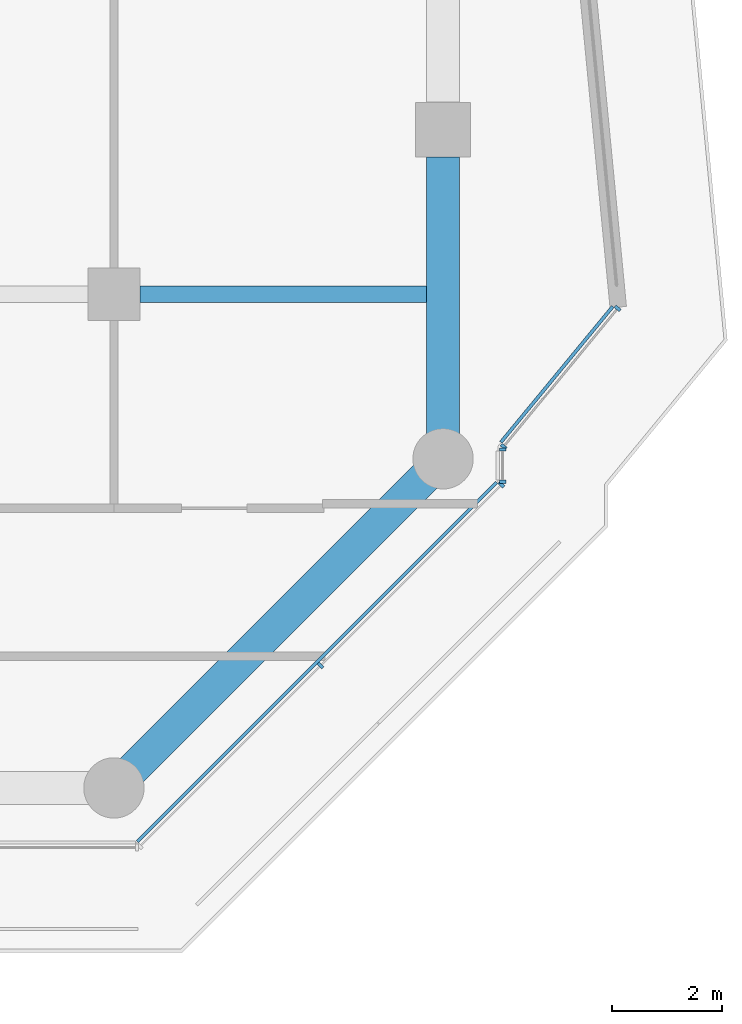
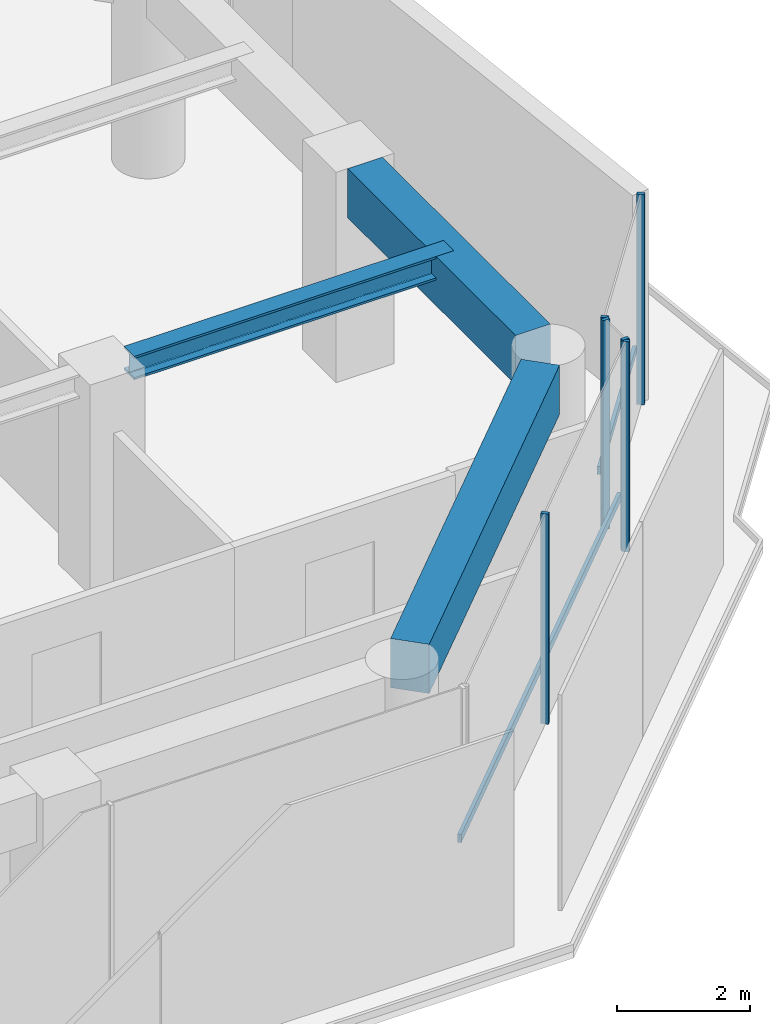
# One storey, part 7 of 28: 8 members, 3 beams, 3 elements without a shape of their own.
"""IFC4 building model written with IfcOpenShell, lengths in metres."""

from ifc_helpers import new_model, si_unit, direction, frame, origin, origin_2d, place, context, subcontext, project, spatial, rectangle, i_section, extrude, material, layer, layer_set, material_profile, profile_set, type_object, element, aggregate, save


model = new_model("IFC4")

# Units and contexts
model_context = context("Model", 3, precision=1e-05, world=origin(), true_north=direction((0.0, 1.0)))
body_context = subcontext(model_context, "Body", "Model", "MODEL_VIEW")
ifc_project = project(units=[si_unit("LENGTHUNIT", "METRE"), si_unit("AREAUNIT", "SQUARE_METRE"), si_unit("VOLUMEUNIT", "CUBIC_METRE"), si_unit("PLANEANGLEUNIT", "RADIAN"), si_unit("MASSUNIT", "GRAM", prefix="KILO")], contexts=[model_context])

# Site, building, storey
site_placement = place(None, origin())
site = spatial("IfcSite", under=ifc_project, at=site_placement, CompositionType="ELEMENT")
building_placement = place(site_placement, origin())
building = spatial("IfcBuilding", under=site, at=building_placement, Name="Welwitschia Terrace Campus", CompositionType="ELEMENT")
storey_placement = place(building_placement, frame((0.0, 0.0, 87.800048828125)))
storey = spatial("IfcBuildingStorey", under=building, at=storey_placement, Name="L19", CompositionType="ELEMENT", Elevation=87.800048828125)

# Beam
ifc_material_1 = material(Name="Steel S355", Category="steel")
ifc_material_profile_1 = material_profile(ifc_material_1, i_section(OverallWidth=0.306884765625, OverallDepth=0.431884765625, WebThickness=0.02099609375, FlangeThickness=0.0400390625, FilletRadius=0.027099609375, at=origin_2d()))
ifc_profile_set_1 = profile_set([ifc_material_profile_1], Name="Steel S355")
beam_type_1 = type_object("IfcBeamType", Name="Interior girder HE 400 M", PredefinedType="BEAM", material=ifc_profile_set_1)
beam_1_placement = place(storey_placement, frame((48.4755859375, 13.0, 3.634033203125), z_axis=(1.0, 0.0, 0.0), x_axis=(0.0, 1.0, 0.0)))
element("IfcBeam", 1, at=beam_1_placement, inside=storey, type_object=beam_type_1, Name="Girder GB3", PredefinedType="BEAM", context=body_context, shape_type="SweptSolid", body=[
    extrude(i_section(OverallWidth=0.306884765625, OverallDepth=0.431884765625, WebThickness=0.02099609375, FlangeThickness=0.0400390625, FilletRadius=0.027099609375, at=origin_2d()), origin(), (0.0, 0.0, 1.0), 5.534423828125),
])

# Curtain wall, members
ifc_material_2 = material(Name="Bronze anodised aluminium", Category="aluminium")
ifc_layer = layer(ifc_material_2, 0.1201171875)
ifc_layer_set = layer_set([ifc_layer], Name="Bronze anodised aluminium")
curtain_wall_type = type_object("IfcCurtainWallType", Name="Curtain wall CW2 tower 6000", PredefinedType="NOTDEFINED", material=ifc_layer_set)
curtain_wall_1_placement = place(storey_placement, origin())
curtain_wall_1 = element("IfcCurtainWall", 2, at=curtain_wall_1_placement, inside=storey, type_object=curtain_wall_type, Name="CW L19.4.0", PredefinedType="NOTDEFINED")
ifc_material_3 = material(Name="Bronze anodised aluminium", Category="aluminium")
ifc_material_profile_2 = material_profile(ifc_material_3, rectangle(XDim=0.1201171875, YDim=0.06005859375, at=origin_2d()))
ifc_profile_set_2 = profile_set([ifc_material_profile_2], Name="Bronze anodised aluminium")
member_type_1 = type_object("IfcMemberType", Name="Mullion 60x120", PredefinedType="MULLION", material=ifc_profile_set_2)
member_1_placement = place(storey_placement, frame((51.767822265625, 6.232177734375, 0.0), z_axis=(0.0, 0.0, 1.0), x_axis=(-0.707106781187, 0.707106781187, 0.0)))
member_1 = element("IfcMember", 3, at=member_1_placement, type_object=member_type_1, Name="Mullion L19.4.0.1", PredefinedType="MULLION", context=body_context, shape_type="SweptSolid", body=[
    extrude(rectangle(XDim=0.1201171875, YDim=0.06005859375, at=origin_2d()), origin(), (0.0, 0.0, 1.0), 3.849853515625),
])
member_2_placement = place(storey_placement, frame((55.064697265625, 9.529052734375, 0.0), z_axis=(0.0, 0.0, 1.0), x_axis=(-0.707106781187, 0.707106781187, 0.0)))
member_2 = element("IfcMember", 4, at=member_2_placement, type_object=member_type_1, Name="Mullion L19.4.0.2", PredefinedType="MULLION", context=body_context, shape_type="SweptSolid", body=[
    extrude(rectangle(XDim=0.1201171875, YDim=0.06005859375, at=origin_2d()), origin(), (0.0, 0.0, 1.0), 3.849853515625),
])

curtain_wall_2_placement = place(storey_placement, origin())
curtain_wall_2 = element("IfcCurtainWall", 5, at=curtain_wall_2_placement, inside=storey, type_object=curtain_wall_type, Name="CW L19.5.0", PredefinedType="NOTDEFINED")
member_3_placement = place(storey_placement, frame((55.0859375, 9.580078125, 0.0), z_axis=(0.0, 0.0, 1.0), x_axis=(-1.0, 0.0, 0.0)))
member_3 = element("IfcMember", 6, at=member_3_placement, type_object=member_type_1, Name="Mullion L19.5.0.0", PredefinedType="MULLION", context=body_context, shape_type="SweptSolid", body=[
    extrude(rectangle(XDim=0.1201171875, YDim=0.06005859375, at=origin_2d()), origin(), (0.0, 0.0, 1.0), 3.849853515625),
])
member_4_placement = place(storey_placement, frame((55.0859375, 10.16845703125, 0.0), z_axis=(0.0, 0.0, 1.0), x_axis=(-1.0, 0.0, 0.0)))
member_4 = element("IfcMember", 7, at=member_4_placement, type_object=member_type_1, Name="Mullion L19.5.0.1", PredefinedType="MULLION", context=body_context, shape_type="SweptSolid", body=[
    extrude(rectangle(XDim=0.1201171875, YDim=0.06005859375, at=origin_2d()), origin(), (0.0, 0.0, 1.0), 3.849853515625),
])
aggregate(curtain_wall_2, [member_3, member_4])

curtain_wall_3_placement = place(storey_placement, origin())
curtain_wall_3 = element("IfcCurtainWall", 8, at=curtain_wall_3_placement, inside=storey, type_object=curtain_wall_type, Name="CW L19.6.0", PredefinedType="NOTDEFINED")
member_5_placement = place(storey_placement, frame((55.10498046875, 10.2216796875, 0.0), z_axis=(0.0, 0.0, 1.0), x_axis=(-0.771624583388, 0.636078220278, 0.0)))
member_5 = element("IfcMember", 9, at=member_5_placement, type_object=member_type_1, Name="Mullion L19.6.0.0", PredefinedType="MULLION", context=body_context, shape_type="SweptSolid", body=[
    extrude(rectangle(XDim=0.1201171875, YDim=0.06005859375, at=origin_2d()), origin(), (0.0, 0.0, 1.0), 3.849853515625),
])
member_6_placement = place(storey_placement, frame((57.1826171875, 12.741943359375, 0.0), z_axis=(0.0, 0.0, 1.0), x_axis=(-0.771624583388, 0.636078220278, 0.0)))
member_6 = element("IfcMember", 10, at=member_6_placement, type_object=member_type_1, Name="Mullion L19.6.0.1", PredefinedType="MULLION", context=body_context, shape_type="SweptSolid", body=[
    extrude(rectangle(XDim=0.1201171875, YDim=0.06005859375, at=origin_2d()), origin(), (0.0, 0.0, 1.0), 3.849853515625),
])

# Beams
ifc_material_4 = material(Name="Concrete C60/75", Category="concrete")
ifc_material_profile_3 = material_profile(ifc_material_4, rectangle(XDim=0.60009765625, YDim=0.89990234375, at=origin_2d()))
ifc_profile_set_3 = profile_set([ifc_material_profile_3], Name="Concrete C60/75")
beam_type_2 = type_object("IfcBeamType", Name="Ring spandrel 600x900", PredefinedType="SPANDREL", material=ifc_profile_set_3)
beam_2_placement = place(storey_placement, frame((48.326416015625, 4.326416015625, 3.39990234375), z_axis=(0.707106781187, 0.707106781187, 0.0), x_axis=(-0.707106781187, 0.707106781187, 0.0)))
element("IfcBeam", 11, at=beam_2_placement, inside=storey, type_object=beam_type_2, Name="Spandrel SP2", PredefinedType="SPANDREL", context=body_context, shape_type="SweptSolid", body=[
    extrude(rectangle(XDim=0.60009765625, YDim=0.89990234375, at=origin_2d()), origin(), (0.0, 0.0, 1.0), 7.56201171875),
])
beam_3_placement = place(storey_placement, frame((54.0, 10.46142578125, 3.39990234375), z_axis=(0.0, 1.0, 0.0), x_axis=(-1.0, 0.0, 0.0)))
element("IfcBeam", 12, at=beam_3_placement, inside=storey, type_object=beam_type_2, Name="Spandrel SP2", PredefinedType="SPANDREL", context=body_context, shape_type="SweptSolid", body=[
    extrude(rectangle(XDim=0.60009765625, YDim=0.89990234375, at=origin_2d()), origin(), (0.0, 0.0, 1.0), 5.0380859375),
])

# Member
ifc_material_5 = material(Name="Bronze anodised aluminium", Category="aluminium")
ifc_material_profile_4 = material_profile(ifc_material_5, rectangle(XDim=0.06005859375, YDim=0.14990234375, at=origin_2d()))
ifc_profile_set_4 = profile_set([ifc_material_profile_4], Name="Bronze anodised aluminium")
member_type_2 = type_object("IfcMemberType", Name="Transom 60x150", PredefinedType="USERDEFINED", material=ifc_profile_set_4)
member_7_placement = place(storey_placement, frame((48.4287109375, 3.02001953125, 1.0), z_axis=(0.707106781187, 0.707106781187, 0.0), x_axis=(-0.707106781187, 0.707106781187, 0.0)))
member_7 = element("IfcMember", 13, at=member_7_placement, type_object=member_type_2, Name="Transom L19.4.0", ObjectType="TRANSOM", PredefinedType="USERDEFINED", context=body_context, shape_type="SweptSolid", body=[
    extrude(rectangle(XDim=0.06005859375, YDim=0.14990234375, at=origin_2d()), origin(), (0.0, 0.0, 1.0), 9.264892578125),
])

aggregate(curtain_wall_1, [member_1, member_2, member_7])

member_8_placement = place(storey_placement, frame((55.0546875, 10.302001953125, 1.0), z_axis=(0.636078193188, 0.771624605719, 0.0), x_axis=(-0.771624605719, 0.636078193188, 0.0)))
member_8 = element("IfcMember", 14, at=member_8_placement, type_object=member_type_2, Name="Transom L19.6.0", ObjectType="TRANSOM", PredefinedType="USERDEFINED", context=body_context, shape_type="SweptSolid", body=[
    extrude(rectangle(XDim=0.06005859375, YDim=0.14990234375, at=origin_2d()), origin(), (0.0, 0.0, 1.0), 3.2060546875),
])

aggregate(curtain_wall_3, [member_5, member_6, member_8])

save(model, "model.ifc")
